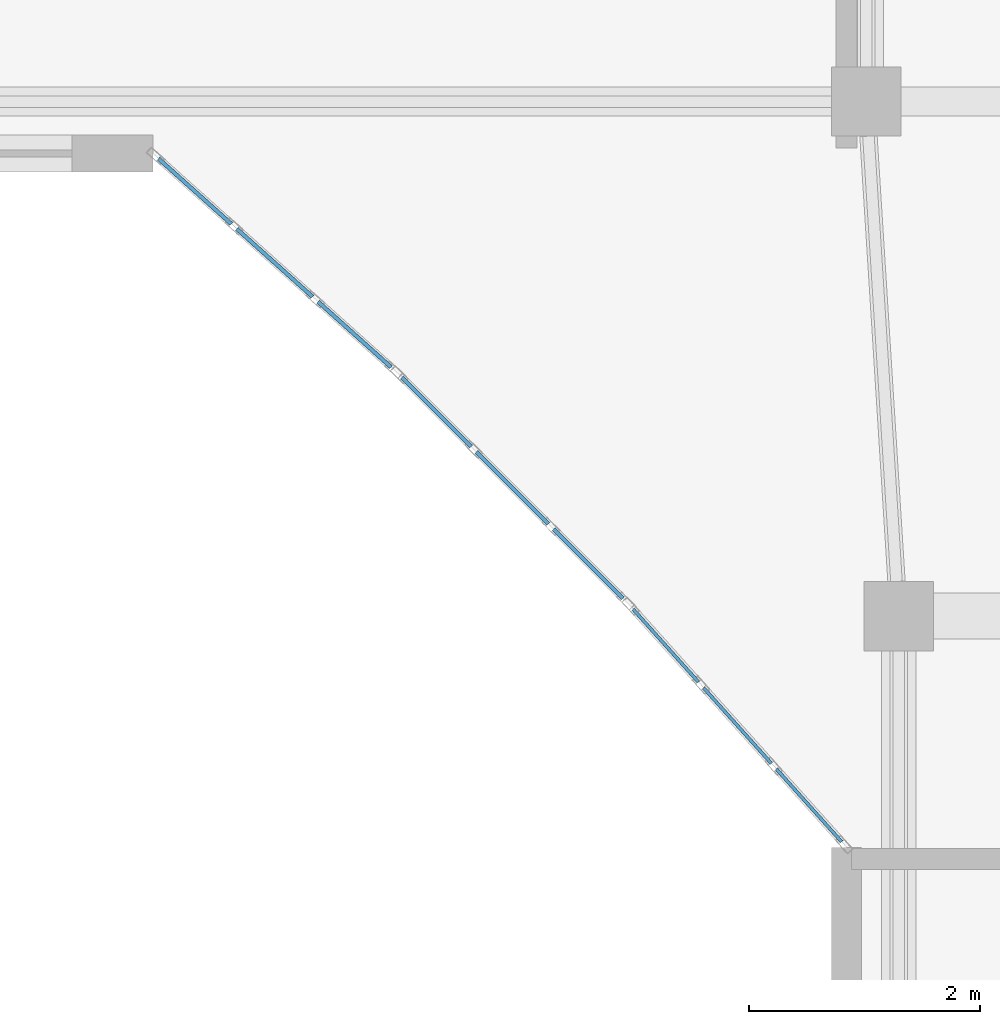
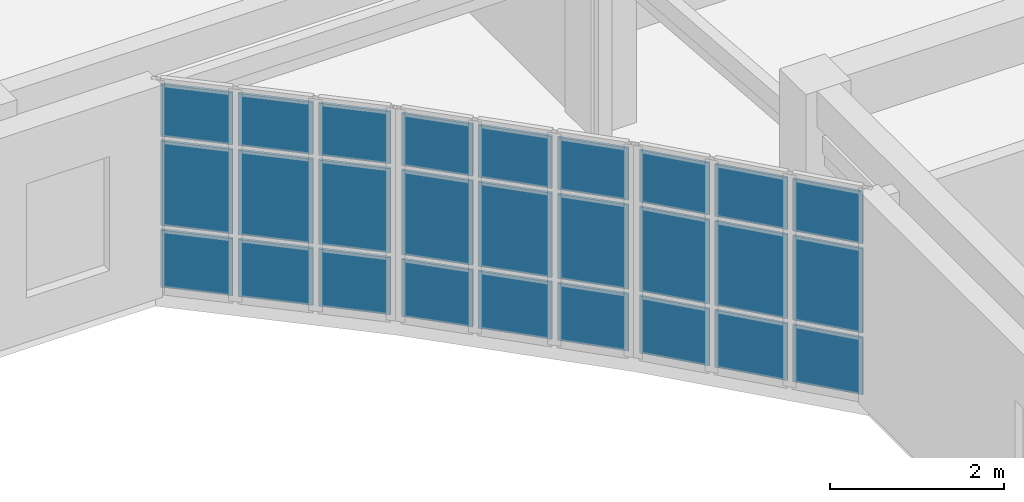
# One storey, part 24 of 72: 27 plates, 3 elements without a shape of their own.
"""IFC4 building model written with IfcOpenShell, lengths in metres."""

from ifc_helpers import new_model, si_unit, direction, frame, origin, origin_2d, place, context, subcontext, project, spatial, rectangle, extrude, material, layer, layer_set, type_object, element, aggregate, save


model = new_model("IFC4")

# Units and contexts
model_context = context("Model", 3, precision=1e-05, world=origin(), true_north=direction((0.0, 1.0)))
body_context = subcontext(model_context, "Body", "Model", "MODEL_VIEW")
ifc_project = project(units=[si_unit("LENGTHUNIT", "METRE"), si_unit("AREAUNIT", "SQUARE_METRE"), si_unit("VOLUMEUNIT", "CUBIC_METRE"), si_unit("PLANEANGLEUNIT", "RADIAN"), si_unit("MASSUNIT", "GRAM", prefix="KILO")], contexts=[model_context])

# Site, building, storey
site_placement = place(None, origin())
site = spatial("IfcSite", under=ifc_project, at=site_placement, CompositionType="ELEMENT")
building_placement = place(site_placement, origin())
building = spatial("IfcBuilding", under=site, at=building_placement, Name="Keldmere Railside Commons", CompositionType="ELEMENT")
storey_placement = place(building_placement, frame((0.0, 0.0, 16.9599609375)))
storey = spatial("IfcBuildingStorey", under=building, at=storey_placement, Name="L05", CompositionType="ELEMENT", Elevation=16.9599609375)

# Curtain wall, plates
ifc_material_1 = material(Name="Thermally Broken Aluminium", Category="aluminium")
ifc_layer_1 = layer(ifc_material_1, 0.159912109375, Name="Court Chord Wintergarden CW 4800x2850")
ifc_layer_set_1 = layer_set([ifc_layer_1], Name="Thermally Broken Aluminium")
curtain_wall_type_1 = type_object("IfcCurtainWallType", Name="Court Chord Wintergarden CW 4800x2850", PredefinedType="NOTDEFINED", material=ifc_layer_set_1)
curtain_wall_1_placement = place(storey_placement, origin())
curtain_wall_1 = element("IfcCurtainWall", 1, at=curtain_wall_1_placement, inside=storey, type_object=curtain_wall_type_1, Name="CW-12 CW-L05-058", PredefinedType="NOTDEFINED")
ifc_material_2 = material(Name="Low-E Insulated Double Glazing", Category="glass")
ifc_layer_2 = layer(ifc_material_2, 0.033935546875, Name="Acoustic Laminated Vision Panel 34")
ifc_layer_set_2 = layer_set([ifc_layer_2], Name="Low-E Insulated Double Glazing")
plate_type_1 = type_object("IfcPlateType", Name="Acoustic Laminated Vision Panel 34", PredefinedType="CURTAIN_PANEL", material=ifc_layer_set_2)
plate_1_placement = place(storey_placement, frame((43.74462890625, 98.435791015625, 0.06494140625), z_axis=(0.0, 0.0, 1.0), x_axis=(-0.744557333277, 0.667558519879, 0.0)))
plate_1 = element("IfcPlate", 2, at=plate_1_placement, type_object=plate_type_1, Name="CW-12 panel 1.1", PredefinedType="CURTAIN_PANEL", context=body_context, shape_type="SweptSolid", body=[
    extrude(rectangle(XDim=0.84619140625, YDim=0.033935546875, at=origin_2d()), origin(), (0.0, 0.0, 1.0), 0.802490234375),
])
plate_2_placement = place(storey_placement, frame((43.74462890625, 98.435791015625, 0.9326171875), z_axis=(0.0, 0.0, 1.0), x_axis=(-0.744557333277, 0.667558519879, 0.0)))
plate_2 = element("IfcPlate", 3, at=plate_2_placement, type_object=plate_type_1, Name="CW-12 panel 1.2", PredefinedType="CURTAIN_PANEL", context=body_context, shape_type="SweptSolid", body=[
    extrude(rectangle(XDim=0.84619140625, YDim=0.033935546875, at=origin_2d()), origin(), (0.0, 0.0, 1.0), 1.18505859375),
])
plate_3_placement = place(storey_placement, frame((43.74462890625, 98.435791015625, 2.1826171875), z_axis=(0.0, 0.0, 1.0), x_axis=(-0.744557333277, 0.667558519879, 0.0)))
plate_3 = element("IfcPlate", 4, at=plate_3_placement, type_object=plate_type_1, Name="CW-12 panel 1.3", PredefinedType="CURTAIN_PANEL", context=body_context, shape_type="SweptSolid", body=[
    extrude(rectangle(XDim=0.84619140625, YDim=0.033935546875, at=origin_2d()), origin(), (0.0, 0.0, 1.0), 0.732421875),
])
plate_4_placement = place(storey_placement, frame((43.053955078125, 99.054931640625, 0.06494140625), z_axis=(0.0, 0.0, 1.0), x_axis=(-0.744557333277, 0.667558519879, 0.0)))
plate_4 = element("IfcPlate", 5, at=plate_4_placement, type_object=plate_type_1, Name="CW-12 panel 2.1", PredefinedType="CURTAIN_PANEL", context=body_context, shape_type="SweptSolid", body=[
    extrude(rectangle(XDim=0.878662109375, YDim=0.033935546875, at=origin_2d()), origin(), (0.0, 0.0, 1.0), 0.802490234375),
])
plate_5_placement = place(storey_placement, frame((43.053955078125, 99.054931640625, 0.9326171875), z_axis=(0.0, 0.0, 1.0), x_axis=(-0.744557333277, 0.667558519879, 0.0)))
plate_5 = element("IfcPlate", 6, at=plate_5_placement, type_object=plate_type_1, Name="CW-12 panel 2.2", PredefinedType="CURTAIN_PANEL", context=body_context, shape_type="SweptSolid", body=[
    extrude(rectangle(XDim=0.878662109375, YDim=0.033935546875, at=origin_2d()), origin(), (0.0, 0.0, 1.0), 1.18505859375),
])
plate_6_placement = place(storey_placement, frame((43.053955078125, 99.054931640625, 2.1826171875), z_axis=(0.0, 0.0, 1.0), x_axis=(-0.744557333277, 0.667558519879, 0.0)))
plate_6 = element("IfcPlate", 7, at=plate_6_placement, type_object=plate_type_1, Name="CW-12 panel 2.3", PredefinedType="CURTAIN_PANEL", context=body_context, shape_type="SweptSolid", body=[
    extrude(rectangle(XDim=0.878662109375, YDim=0.033935546875, at=origin_2d()), origin(), (0.0, 0.0, 1.0), 0.732421875),
])
plate_7_placement = place(storey_placement, frame((42.363525390625, 99.674072265625, 0.06494140625), z_axis=(0.0, 0.0, 1.0), x_axis=(-0.744557333277, 0.667558519879, 0.0)))
plate_7 = element("IfcPlate", 8, at=plate_7_placement, type_object=plate_type_1, Name="CW-12 panel 3.1", PredefinedType="CURTAIN_PANEL", context=body_context, shape_type="SweptSolid", body=[
    extrude(rectangle(XDim=0.84619140625, YDim=0.033935546875, at=origin_2d()), origin(), (0.0, 0.0, 1.0), 0.802490234375),
])
plate_8_placement = place(storey_placement, frame((42.363525390625, 99.674072265625, 0.9326171875), z_axis=(0.0, 0.0, 1.0), x_axis=(-0.744557333277, 0.667558519879, 0.0)))
plate_8 = element("IfcPlate", 9, at=plate_8_placement, type_object=plate_type_1, Name="CW-12 panel 3.2", PredefinedType="CURTAIN_PANEL", context=body_context, shape_type="SweptSolid", body=[
    extrude(rectangle(XDim=0.84619140625, YDim=0.033935546875, at=origin_2d()), origin(), (0.0, 0.0, 1.0), 1.18505859375),
])
plate_9_placement = place(storey_placement, frame((42.363525390625, 99.674072265625, 2.1826171875), z_axis=(0.0, 0.0, 1.0), x_axis=(-0.744557333277, 0.667558519879, 0.0)))
plate_9 = element("IfcPlate", 10, at=plate_9_placement, type_object=plate_type_1, Name="CW-12 panel 3.3", PredefinedType="CURTAIN_PANEL", context=body_context, shape_type="SweptSolid", body=[
    extrude(rectangle(XDim=0.84619140625, YDim=0.033935546875, at=origin_2d()), origin(), (0.0, 0.0, 1.0), 0.732421875),
])
aggregate(curtain_wall_1, [plate_1, plate_2, plate_3, plate_4, plate_5, plate_6, plate_7, plate_8, plate_9])

ifc_layer_3 = layer(ifc_material_1, 0.159912109375, Name="Court Chord Wintergarden CW 5400x2850")
ifc_layer_set_3 = layer_set([ifc_layer_3], Name="Thermally Broken Aluminium")
curtain_wall_type_2 = type_object("IfcCurtainWallType", Name="Court Chord Wintergarden CW 5400x2850", PredefinedType="NOTDEFINED", material=ifc_layer_set_3)
curtain_wall_2_placement = place(storey_placement, origin())
curtain_wall_2 = element("IfcCurtainWall", 11, at=curtain_wall_2_placement, inside=storey, type_object=curtain_wall_type_2, Name="CW-13 CW-L05-059", PredefinedType="NOTDEFINED")
ifc_layer_4 = layer(ifc_material_2, 0.031982421875, Name="Clerestory Solar-Control Vision Panel 32")
ifc_layer_set_4 = layer_set([ifc_layer_4], Name="Low-E Insulated Double Glazing")
plate_type_2 = type_object("IfcPlateType", Name="Clerestory Solar-Control Vision Panel 32", PredefinedType="CURTAIN_PANEL", material=ifc_layer_set_4)
plate_10_placement = place(storey_placement, frame((45.764892578125, 96.453125, 0.06494140625), z_axis=(0.0, 0.0, 1.0), x_axis=(-0.707106781187, 0.707106781187, 0.0)))
plate_10 = element("IfcPlate", 12, at=plate_10_placement, type_object=plate_type_2, Name="CW-13 panel 1.1", PredefinedType="CURTAIN_PANEL", context=body_context, shape_type="SweptSolid", body=[
    extrude(rectangle(XDim=0.84619140625, YDim=0.031982421875, at=origin_2d()), origin(), (0.0, 0.0, 1.0), 0.802490234375),
])
plate_11_placement = place(storey_placement, frame((45.764892578125, 96.453125, 0.9326171875), z_axis=(0.0, 0.0, 1.0), x_axis=(-0.707106781187, 0.707106781187, 0.0)))
plate_11 = element("IfcPlate", 13, at=plate_11_placement, type_object=plate_type_2, Name="CW-13 panel 1.2", PredefinedType="CURTAIN_PANEL", context=body_context, shape_type="SweptSolid", body=[
    extrude(rectangle(XDim=0.84619140625, YDim=0.031982421875, at=origin_2d()), origin(), (0.0, 0.0, 1.0), 1.18505859375),
])
plate_12_placement = place(storey_placement, frame((45.764892578125, 96.453125, 2.1826171875), z_axis=(0.0, 0.0, 1.0), x_axis=(-0.707106781187, 0.707106781187, 0.0)))
plate_12 = element("IfcPlate", 14, at=plate_12_placement, type_object=plate_type_2, Name="CW-13 panel 1.3", PredefinedType="CURTAIN_PANEL", context=body_context, shape_type="SweptSolid", body=[
    extrude(rectangle(XDim=0.84619140625, YDim=0.031982421875, at=origin_2d()), origin(), (0.0, 0.0, 1.0), 0.732421875),
])
plate_13_placement = place(storey_placement, frame((45.10888671875, 97.10888671875, 0.06494140625), z_axis=(0.0, 0.0, 1.0), x_axis=(-0.707106781187, 0.707106781187, 0.0)))
plate_13 = element("IfcPlate", 15, at=plate_13_placement, type_object=plate_type_2, Name="CW-13 panel 2.1", PredefinedType="CURTAIN_PANEL", context=body_context, shape_type="SweptSolid", body=[
    extrude(rectangle(XDim=0.878662109375, YDim=0.031982421875, at=origin_2d()), origin(), (0.0, 0.0, 1.0), 0.802490234375),
])
plate_14_placement = place(storey_placement, frame((45.10888671875, 97.10888671875, 0.9326171875), z_axis=(0.0, 0.0, 1.0), x_axis=(-0.707106781187, 0.707106781187, 0.0)))
plate_14 = element("IfcPlate", 16, at=plate_14_placement, type_object=plate_type_2, Name="CW-13 panel 2.2", PredefinedType="CURTAIN_PANEL", context=body_context, shape_type="SweptSolid", body=[
    extrude(rectangle(XDim=0.878662109375, YDim=0.031982421875, at=origin_2d()), origin(), (0.0, 0.0, 1.0), 1.18505859375),
])
plate_15_placement = place(storey_placement, frame((45.10888671875, 97.10888671875, 2.1826171875), z_axis=(0.0, 0.0, 1.0), x_axis=(-0.707106781187, 0.707106781187, 0.0)))
plate_15 = element("IfcPlate", 17, at=plate_15_placement, type_object=plate_type_2, Name="CW-13 panel 2.3", PredefinedType="CURTAIN_PANEL", context=body_context, shape_type="SweptSolid", body=[
    extrude(rectangle(XDim=0.878662109375, YDim=0.031982421875, at=origin_2d()), origin(), (0.0, 0.0, 1.0), 0.732421875),
])
plate_16_placement = place(storey_placement, frame((44.453125, 97.764892578125, 0.06494140625), z_axis=(0.0, 0.0, 1.0), x_axis=(-0.707106781187, 0.707106781187, 0.0)))
plate_16 = element("IfcPlate", 18, at=plate_16_placement, type_object=plate_type_2, Name="CW-13 panel 3.1", PredefinedType="CURTAIN_PANEL", context=body_context, shape_type="SweptSolid", body=[
    extrude(rectangle(XDim=0.84619140625, YDim=0.031982421875, at=origin_2d()), origin(), (0.0, 0.0, 1.0), 0.802490234375),
])
plate_17_placement = place(storey_placement, frame((44.453125, 97.764892578125, 0.9326171875), z_axis=(0.0, 0.0, 1.0), x_axis=(-0.707106781187, 0.707106781187, 0.0)))
plate_17 = element("IfcPlate", 19, at=plate_17_placement, type_object=plate_type_2, Name="CW-13 panel 3.2", PredefinedType="CURTAIN_PANEL", context=body_context, shape_type="SweptSolid", body=[
    extrude(rectangle(XDim=0.84619140625, YDim=0.031982421875, at=origin_2d()), origin(), (0.0, 0.0, 1.0), 1.18505859375),
])
plate_18_placement = place(storey_placement, frame((44.453125, 97.764892578125, 2.1826171875), z_axis=(0.0, 0.0, 1.0), x_axis=(-0.707106781187, 0.707106781187, 0.0)))
plate_18 = element("IfcPlate", 20, at=plate_18_placement, type_object=plate_type_2, Name="CW-13 panel 3.3", PredefinedType="CURTAIN_PANEL", context=body_context, shape_type="SweptSolid", body=[
    extrude(rectangle(XDim=0.84619140625, YDim=0.031982421875, at=origin_2d()), origin(), (0.0, 0.0, 1.0), 0.732421875),
])
aggregate(curtain_wall_2, [plate_10, plate_11, plate_12, plate_13, plate_14, plate_15, plate_16, plate_17, plate_18])

curtain_wall_3_placement = place(storey_placement, origin())
curtain_wall_3 = element("IfcCurtainWall", 21, at=curtain_wall_3_placement, inside=storey, type_object=curtain_wall_type_1, Name="CW-12 CW-L05-060", PredefinedType="NOTDEFINED")
ifc_layer_5 = layer(ifc_material_2, 0.028076171875, Name="Low-E Vision Glazing Panel 28")
ifc_layer_set_5 = layer_set([ifc_layer_5], Name="Low-E Insulated Double Glazing")
plate_type_3 = type_object("IfcPlateType", Name="Low-E Vision Glazing Panel 28", PredefinedType="CURTAIN_PANEL", material=ifc_layer_set_5)
plate_19_placement = place(storey_placement, frame((47.674072265625, 94.363525390625, 0.06494140625), z_axis=(0.0, 0.0, 1.0), x_axis=(-0.667558519879, 0.744557333277, 0.0)))
plate_19 = element("IfcPlate", 22, at=plate_19_placement, type_object=plate_type_3, Name="CW-12 panel 1.1", PredefinedType="CURTAIN_PANEL", context=body_context, shape_type="SweptSolid", body=[
    extrude(rectangle(XDim=0.84619140625, YDim=0.028076171875, at=origin_2d()), origin(), (0.0, 0.0, 1.0), 0.802490234375),
])
plate_20_placement = place(storey_placement, frame((47.674072265625, 94.363525390625, 0.9326171875), z_axis=(0.0, 0.0, 1.0), x_axis=(-0.667558519879, 0.744557333277, 0.0)))
plate_20 = element("IfcPlate", 23, at=plate_20_placement, type_object=plate_type_3, Name="CW-12 panel 1.2", PredefinedType="CURTAIN_PANEL", context=body_context, shape_type="SweptSolid", body=[
    extrude(rectangle(XDim=0.84619140625, YDim=0.028076171875, at=origin_2d()), origin(), (0.0, 0.0, 1.0), 1.18505859375),
])
plate_21_placement = place(storey_placement, frame((47.674072265625, 94.363525390625, 2.1826171875), z_axis=(0.0, 0.0, 1.0), x_axis=(-0.667558519879, 0.744557333277, 0.0)))
plate_21 = element("IfcPlate", 24, at=plate_21_placement, type_object=plate_type_3, Name="CW-12 panel 1.3", PredefinedType="CURTAIN_PANEL", context=body_context, shape_type="SweptSolid", body=[
    extrude(rectangle(XDim=0.84619140625, YDim=0.028076171875, at=origin_2d()), origin(), (0.0, 0.0, 1.0), 0.732421875),
])
plate_22_placement = place(storey_placement, frame((47.054931640625, 95.053955078125, 0.06494140625), z_axis=(0.0, 0.0, 1.0), x_axis=(-0.667558519879, 0.744557333277, 0.0)))
plate_22 = element("IfcPlate", 25, at=plate_22_placement, type_object=plate_type_3, Name="CW-12 panel 2.1", PredefinedType="CURTAIN_PANEL", context=body_context, shape_type="SweptSolid", body=[
    extrude(rectangle(XDim=0.878662109375, YDim=0.028076171875, at=origin_2d()), origin(), (0.0, 0.0, 1.0), 0.802490234375),
])
plate_23_placement = place(storey_placement, frame((47.054931640625, 95.053955078125, 0.9326171875), z_axis=(0.0, 0.0, 1.0), x_axis=(-0.667558519879, 0.744557333277, 0.0)))
plate_23 = element("IfcPlate", 26, at=plate_23_placement, type_object=plate_type_3, Name="CW-12 panel 2.2", PredefinedType="CURTAIN_PANEL", context=body_context, shape_type="SweptSolid", body=[
    extrude(rectangle(XDim=0.878662109375, YDim=0.028076171875, at=origin_2d()), origin(), (0.0, 0.0, 1.0), 1.18505859375),
])
plate_24_placement = place(storey_placement, frame((47.054931640625, 95.053955078125, 2.1826171875), z_axis=(0.0, 0.0, 1.0), x_axis=(-0.667558519879, 0.744557333277, 0.0)))
plate_24 = element("IfcPlate", 27, at=plate_24_placement, type_object=plate_type_3, Name="CW-12 panel 2.3", PredefinedType="CURTAIN_PANEL", context=body_context, shape_type="SweptSolid", body=[
    extrude(rectangle(XDim=0.878662109375, YDim=0.028076171875, at=origin_2d()), origin(), (0.0, 0.0, 1.0), 0.732421875),
])
plate_25_placement = place(storey_placement, frame((46.435791015625, 95.74462890625, 0.06494140625), z_axis=(0.0, 0.0, 1.0), x_axis=(-0.667558519879, 0.744557333277, 0.0)))
plate_25 = element("IfcPlate", 28, at=plate_25_placement, type_object=plate_type_3, Name="CW-12 panel 3.1", PredefinedType="CURTAIN_PANEL", context=body_context, shape_type="SweptSolid", body=[
    extrude(rectangle(XDim=0.84619140625, YDim=0.028076171875, at=origin_2d()), origin(), (0.0, 0.0, 1.0), 0.802490234375),
])
plate_26_placement = place(storey_placement, frame((46.435791015625, 95.74462890625, 0.9326171875), z_axis=(0.0, 0.0, 1.0), x_axis=(-0.667558519879, 0.744557333277, 0.0)))
plate_26 = element("IfcPlate", 29, at=plate_26_placement, type_object=plate_type_3, Name="CW-12 panel 3.2", PredefinedType="CURTAIN_PANEL", context=body_context, shape_type="SweptSolid", body=[
    extrude(rectangle(XDim=0.84619140625, YDim=0.028076171875, at=origin_2d()), origin(), (0.0, 0.0, 1.0), 1.18505859375),
])
plate_27_placement = place(storey_placement, frame((46.435791015625, 95.74462890625, 2.1826171875), z_axis=(0.0, 0.0, 1.0), x_axis=(-0.667558519879, 0.744557333277, 0.0)))
plate_27 = element("IfcPlate", 30, at=plate_27_placement, type_object=plate_type_3, Name="CW-12 panel 3.3", PredefinedType="CURTAIN_PANEL", context=body_context, shape_type="SweptSolid", body=[
    extrude(rectangle(XDim=0.84619140625, YDim=0.028076171875, at=origin_2d()), origin(), (0.0, 0.0, 1.0), 0.732421875),
])
aggregate(curtain_wall_3, [plate_19, plate_20, plate_21, plate_22, plate_23, plate_24, plate_25, plate_26, plate_27])

save(model, "model.ifc")
